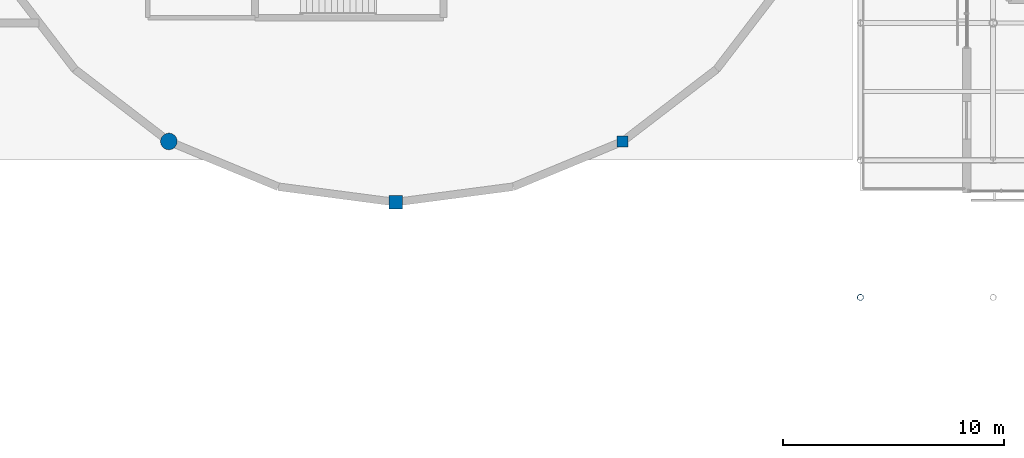
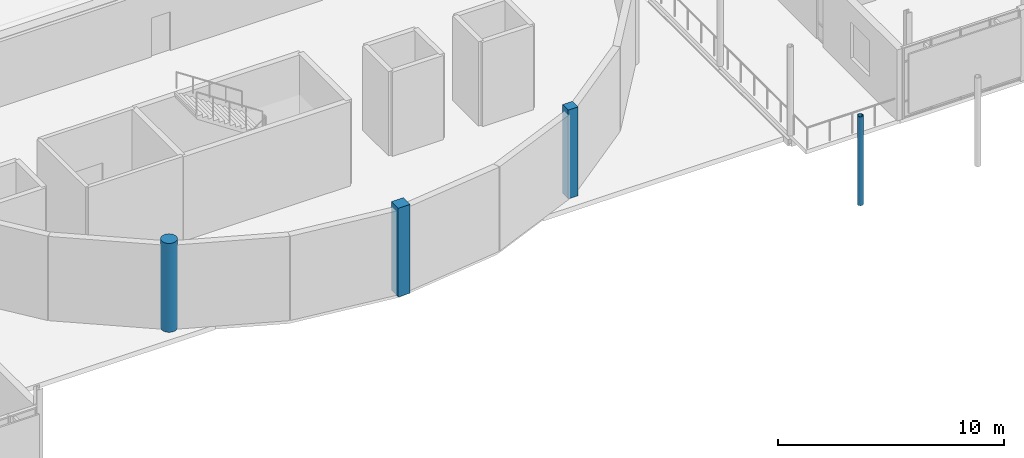
# One storey, part 3 of 84: 4 columns.
"""IFC4 building model written with IfcOpenShell, lengths in metres."""

from ifc_helpers import new_model, si_unit, direction, frame, origin, origin_2d, place, context, subcontext, project, spatial, rectangle, circle, hollow_circle, extrude, material, material_profile, profile_set, type_object, element, save


model = new_model("IFC4")

# Units and contexts
model_context = context("Model", 3, precision=1e-05, world=origin(), true_north=direction((0.0, 1.0)))
body_context = subcontext(model_context, "Body", "Model", "MODEL_VIEW")
ifc_project = project(units=[si_unit("LENGTHUNIT", "METRE"), si_unit("AREAUNIT", "SQUARE_METRE"), si_unit("VOLUMEUNIT", "CUBIC_METRE"), si_unit("PLANEANGLEUNIT", "RADIAN"), si_unit("MASSUNIT", "GRAM", prefix="KILO")], contexts=[model_context])

# Site, building, storey
site_placement = place(None, origin())
site = spatial("IfcSite", under=ifc_project, at=site_placement, CompositionType="ELEMENT")
building_placement = place(site_placement, origin())
building = spatial("IfcBuilding", under=site, at=building_placement, Name="Mirzam Square Science Centre", CompositionType="ELEMENT")
storey_placement = place(building_placement, frame((0.0, 0.0, 10.800048828125)))
storey = spatial("IfcBuildingStorey", under=building, at=storey_placement, Name="L02", CompositionType="ELEMENT", Elevation=10.800048828125)

# Columns
ifc_material_1 = material(Name="Steel S355", Category="steel")
ifc_material_profile_1 = material_profile(ifc_material_1, hollow_circle(Radius=0.136474609375, WallThickness=0.010009765625, at=origin_2d()), Name="273.0x10.0CHS")
ifc_profile_set_1 = profile_set([ifc_material_profile_1], Name="Steel S355")
column_type_1 = type_object("IfcColumnType", Name="COL-CHS273", PredefinedType="COLUMN", material=ifc_profile_set_1)
column_1_placement = place(storey_placement, frame((102.0, 37.199951171875, 0.0), z_axis=(0.0, 0.0, 1.0), x_axis=(1.0, 0.0, 0.0)))
element("IfcColumn", 1, at=column_1_placement, inside=storey, type_object=column_type_1, Name="L02 column G18-07", PredefinedType="COLUMN", context=body_context, shape_type="SweptSolid", body=[
    extrude(hollow_circle(Radius=0.136474609375, WallThickness=0.010009765625, at=origin_2d()), origin(), (0.0, 0.0, 1.0), 4.800048828125),
])
ifc_material_2 = material(Name="Concrete C45/55", Category="concrete")
ifc_material_profile_2 = material_profile(ifc_material_2, rectangle(XDim=0.5, YDim=0.5, at=origin_2d()), Name="RC500x500")
ifc_profile_set_2 = profile_set([ifc_material_profile_2], Name="Concrete C45/55")
column_type_2 = type_object("IfcColumnType", Name="PIL-RC500", PredefinedType="PILASTER", material=ifc_profile_set_2)
column_2_placement = place(storey_placement, frame((91.25, 44.24658203125, 0.0), z_axis=(0.0, 0.0, 1.0), x_axis=(1.0, 0.0, 0.0)))
element("IfcColumn", 2, at=column_2_placement, inside=storey, type_object=column_type_2, Name="L02 drum pilaster 21", PredefinedType="PILASTER", context=body_context, shape_type="SweptSolid", body=[
    extrude(rectangle(XDim=0.5, YDim=0.5, at=origin_2d()), origin(), (0.0, 0.0, 1.0), 4.800048828125),
])
ifc_material_profile_3 = material_profile(ifc_material_2, rectangle(XDim=0.60009765625, YDim=0.60009765625, at=origin_2d()), Name="RC600x600")
ifc_profile_set_3 = profile_set([ifc_material_profile_3], Name="Concrete C45/55")
column_type_3 = type_object("IfcColumnType", Name="PIL-RC600", PredefinedType="PILASTER", material=ifc_profile_set_3)
column_3_placement = place(storey_placement, frame((81.0, 41.5, 0.0), z_axis=(0.0, 0.0, 1.0), x_axis=(1.0, 0.0, 0.0)))
element("IfcColumn", 3, at=column_3_placement, inside=storey, type_object=column_type_3, Name="L02 drum pilaster 19", PredefinedType="PILASTER", context=body_context, shape_type="SweptSolid", body=[
    extrude(rectangle(XDim=0.60009765625, YDim=0.60009765625, at=origin_2d()), origin(), (0.0, 0.0, 1.0), 4.800048828125),
])
ifc_material_profile_4 = material_profile(ifc_material_2, circle(Radius=0.375, at=origin_2d()), Name="RCD750")
ifc_profile_set_4 = profile_set([ifc_material_profile_4], Name="Concrete C45/55")
column_type_4 = type_object("IfcColumnType", Name="PIL-RCD750", PredefinedType="PILASTER", material=ifc_profile_set_4)
column_4_placement = place(storey_placement, frame((70.75, 44.24658203125, 0.0), z_axis=(0.0, 0.0, 1.0), x_axis=(1.0, 0.0, 0.0)))
element("IfcColumn", 4, at=column_4_placement, inside=storey, type_object=column_type_4, Name="L02 drum pilaster 17", PredefinedType="PILASTER", context=body_context, shape_type="SweptSolid", body=[
    extrude(circle(Radius=0.375, at=origin_2d()), origin(), (0.0, 0.0, 1.0), 4.800048828125),
])

save(model, "model.ifc")
